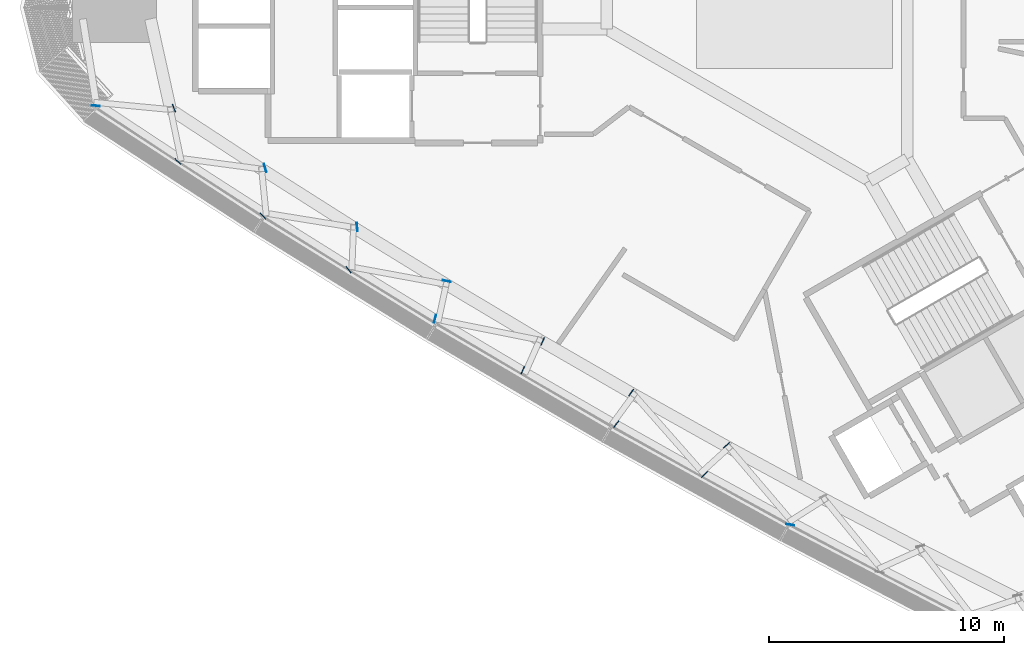
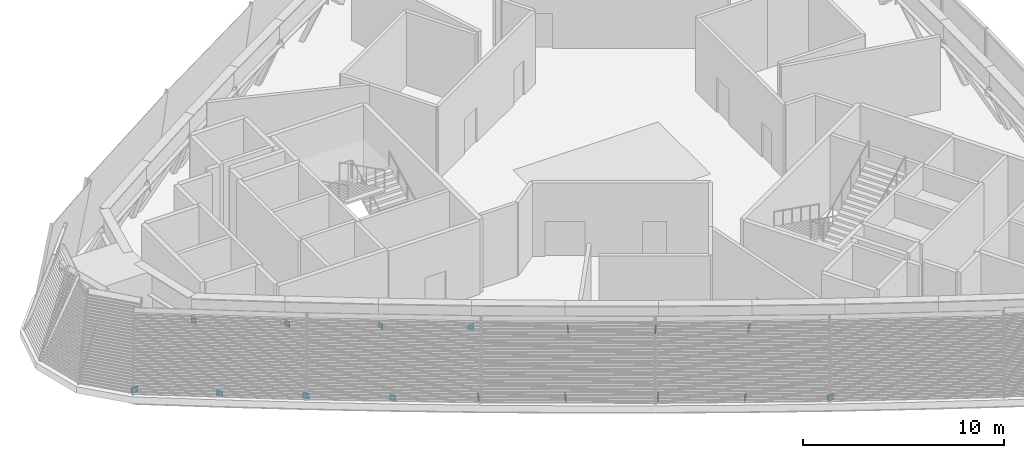
# One storey, part 6 of 18: 16 plates.
"""IFC4 building model written with IfcOpenShell, lengths in metres."""

from ifc_helpers import new_model, si_unit, direction, frame, origin, origin_2d, place, context, subcontext, project, spatial, rectangle, extrude, material, layer, layer_set, type_object, element, save


model = new_model("IFC4")

# Units and contexts
model_context = context("Model", 3, precision=1e-05, world=origin(), true_north=direction((0.0, 1.0)))
body_context = subcontext(model_context, "Body", "Model", "MODEL_VIEW")
ifc_project = project(units=[si_unit("LENGTHUNIT", "METRE"), si_unit("AREAUNIT", "SQUARE_METRE"), si_unit("VOLUMEUNIT", "CUBIC_METRE"), si_unit("PLANEANGLEUNIT", "RADIAN"), si_unit("MASSUNIT", "GRAM", prefix="KILO")], contexts=[model_context])

# Site, building, storey
site_placement = place(None, origin())
site = spatial("IfcSite", under=ifc_project, at=site_placement, CompositionType="ELEMENT")
building_placement = place(site_placement, origin())
building = spatial("IfcBuilding", under=site, at=building_placement, Name="Tamra Quay Hotel Tower", CompositionType="ELEMENT")
storey_placement = place(building_placement, frame((0.0, 0.0, 164.800048828125)))
storey = spatial("IfcBuildingStorey", under=building, at=storey_placement, Name="L41", CompositionType="ELEMENT", Elevation=164.800048828125)

# Plates
ifc_material = material(Name="Structural steel IS 2062 E350", Category="steel")
ifc_layer = layer(ifc_material, 0.030029296875)
ifc_layer_set = layer_set([ifc_layer], Name="BRACE END PLATE 30")
plate_type = type_object("IfcPlateType", Name="BRACE END PLATE 30", PredefinedType="SHEET", material=ifc_layer_set)
for number, where, z_axis, x_axis, name in (
    (1, (-29.785888671875, -4.19287109375, -0.400146484375), (0.0, 0.0, 1.0), (0.09437937284, 0.995536304703, 0.0), "BEP-L41-025"),
    (2, (-26.286865234375, -6.5654296875, -0.400146484375), (0.0, 0.0, 1.0), (0.680958639396, 0.732321876931, 0.0), "BEP-L41-026"),
    (3, (-22.660888671875, -8.896240234375, -0.400146484375), (0.0, 0.0, 1.0), (0.728622053636, 0.684915982406, 0.0), "BEP-L41-027"),
    (4, (-19.00830078125, -11.180419921875, -0.400146484375), (0.0, 0.0, 1.0), (0.780910329057, 0.624643144501, 0.0), "BEP-L41-028"),
    (5, (-15.324462890625, -13.2763671875, -0.400146484375), (0.0, 0.0, 1.0), (-0.966941877038, 0.254996875335, 0.0), "BEP-L41-029"),
    (6, (-11.585205078125, -15.465087890625, -0.400146484375), (0.0, 0.0, 1.0), (-0.914722859214, 0.404081787305, 0.0), "BEP-L41-030"),
    (7, (-7.600830078125, -17.765625, -0.400146484375), (0.0, 0.0, 1.0), (-0.807295192743, 0.590147838913, 0.0), "BEP-L41-031"),
    (8, (-3.835205078125, -19.90966796875, -0.400146484375), (0.0, 0.0, 1.0), (-0.70431338343, 0.709889187072, 0.0), "BEP-L41-032"),
    (9, (-0.17822265625, -22.052001953125, -0.400146484375), (0.0, 0.0, 1.0), (0.150470608744, 0.988614482953, 0.0), "BEP-L41-033"),
    (10, (-26.451171875, -4.298095703125, 2.699951171875), (0.0, 0.0, 1.0), (0.932593674954, 0.360928022515, 0.0), "BEP-L41-057"),
    (11, (-22.5625, -6.845703125, 2.699951171875), (0.0, 0.0, 1.0), (0.956056925208, 0.293181097211, 0.0), "BEP-L41-058"),
    (12, (-18.644287109375, -9.359375, 2.699951171875), (0.0, 0.0, 1.0), (0.99401522574, 0.109241617518, 0.0), "BEP-L41-059"),
    (13, (-14.8203125, -11.667236328125, 2.699951171875), (0.0, 0.0, 1.0), (0.19633634968, 0.980536607065, 0.0), "BEP-L41-060"),
    (14, (-10.735595703125, -14.236328125, 2.699951171875), (0.0, 0.0, 1.0), (-0.916459827577, 0.400126710478, 0.0), "BEP-L41-061"),
    (15, (-6.961181640625, -16.41552734375, 2.699951171875), (0.0, 0.0, 1.0), (-0.804749809795, 0.593614136991, 0.0), "BEP-L41-062"),
    (16, (-2.893798828125, -18.655029296875, 2.699951171875), (0.0, 0.0, 1.0), (-0.660305813005, 0.750996826433, 0.0), "BEP-L41-063"),
):
    element("IfcPlate", number, at=place(storey_placement, frame(where, z_axis=z_axis, x_axis=x_axis)), inside=storey, type_object=plate_type, Name=name, PredefinedType="SHEET", context=body_context, shape_type="SweptSolid", body=[
        extrude(rectangle(XDim=0.030029296875, YDim=0.35009765625, at=origin_2d()), origin(), (0.0, 0.0, 1.0), 0.35009765625),
    ])

save(model, "model.ifc")
